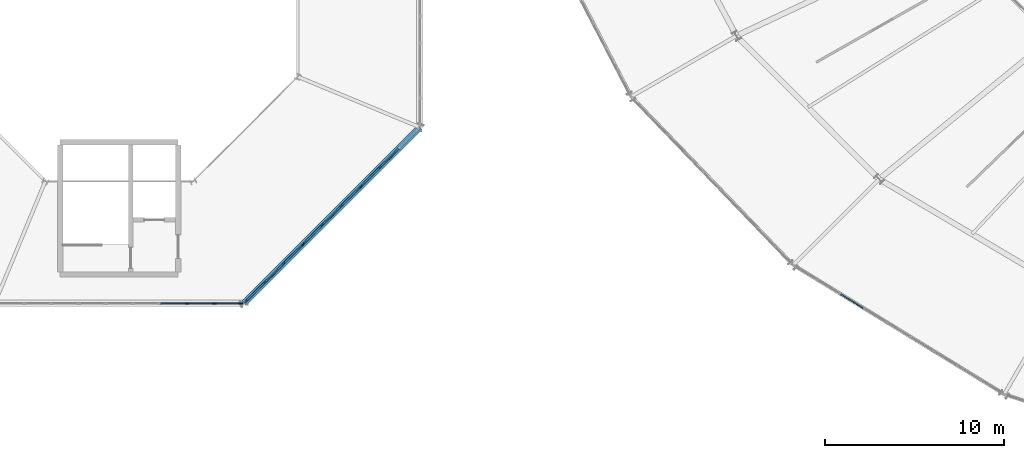
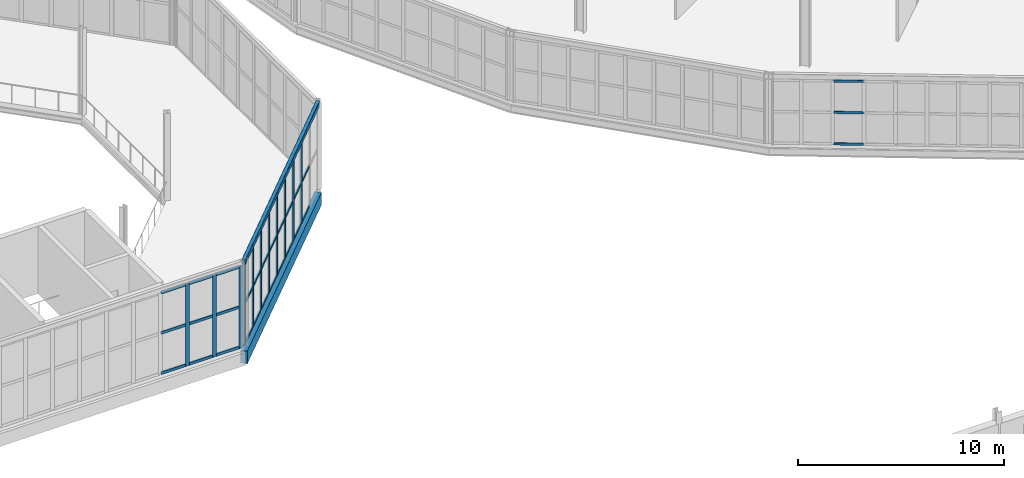
# One storey, part 38 of 161: 47 members, 2 beams, 3 elements without a shape of their own.
"""IFC4 building model written with IfcOpenShell, lengths in metres."""

import ifcopenshell
import ifcopenshell.guid

model = None  # the IFC model being written
_history = None  # IfcOwnerHistory: only IFC2X3 demands one
_inside = {}  # id of a spatial element -> (the spatial element, [elements in it])
_under = {}  # id of a project, library or spatial element -> (it, [spatial elements below it])
_declared = {}  # id of a project -> (the project, [libraries it declares])
_typed = {}  # id of a type object -> (the type object, [elements of that type])
_made_of = {}  # id of a material, layer set ... -> (it, [elements and type objects made of it])


def new_model(schema):
    """Start an empty IFC model of exactly this schema.

    Asked for "IFC4X3", IfcOpenShell would pick the latest addendum, in which some entities
    have other attributes; the version numbers below select the first issue.
    IFC2X3 requires an IfcOwnerHistory on every rooted entity: one is made here for all.
    """
    global model, _history
    if schema == "IFC4X3":
        model = ifcopenshell.file(schema_version=(4, 3, 0, 0))
    else:
        model = ifcopenshell.file(schema=schema)
    _inside.clear()
    _under.clear()
    _declared.clear()
    _typed.clear()
    _made_of.clear()
    _history = None
    if model.schema == "IFC2X3":
        org = make("IfcOrganization", Name="unknown")
        user = make(
            "IfcPersonAndOrganization",
            ThePerson=make("IfcPerson", FamilyName="unknown"),
            TheOrganization=org,
        )
        app = make(
            "IfcApplication",
            ApplicationDeveloper=org,
            Version="unknown",
            ApplicationFullName="unknown",
            ApplicationIdentifier="unknown",
        )
        _history = make(
            "IfcOwnerHistory",
            OwningUser=user,
            OwningApplication=app,
            ChangeAction="ADDED",
            CreationDate=0,
        )
    return model


def make(cls, **values):
    """One entity of the class cls with the attributes given. An attribute that is None is left unset."""
    return model.create_entity(
        cls, **{name: value for name, value in values.items() if value is not None}
    )


def rooted(cls, **values):
    """An entity with a GlobalId (a new one), such as an element, a storey or a relation."""
    return make(cls, GlobalId=ifcopenshell.guid.new(), OwnerHistory=_history, **values)


def si_unit(unit_type, name, prefix=None):
    """IfcSIUnit, for example si_unit("LENGTHUNIT", "METRE", prefix="MILLI")."""
    return make("IfcSIUnit", UnitType=unit_type, Prefix=prefix, Name=name)


def assignment(units):
    """IfcUnitAssignment: the units of a project."""
    return None if units is None else make("IfcUnitAssignment", Units=units)


def point(xyz):
    """IfcCartesianPoint."""
    return None if xyz is None else make("IfcCartesianPoint", Coordinates=xyz)


def direction(xyz):
    """IfcDirection."""
    return None if xyz is None else make("IfcDirection", DirectionRatios=xyz)


def frame(location, z_axis=None, x_axis=None):
    """IfcAxis2Placement3D, a coordinate frame: its origin and axes. An axis left out is left unset."""
    return make(
        "IfcAxis2Placement3D",
        Location=point(location),
        Axis=direction(z_axis),
        RefDirection=direction(x_axis),
    )


def frame_2d(location, x_axis=None):
    """IfcAxis2Placement2D, a coordinate frame in the plane: its origin and x axis."""
    return make(
        "IfcAxis2Placement2D", Location=point(location), RefDirection=direction(x_axis)
    )


def origin():
    """The frame at (0, 0, 0) with its axes left unset."""
    return frame((0.0, 0.0, 0.0))


def origin_2d():
    """The frame at (0, 0) in the plane with its x axis left unset."""
    return frame_2d((0.0, 0.0))


def place(relative_to, where):
    """IfcLocalPlacement: puts the frame where relative to a parent placement (None: the world)."""
    return make(
        "IfcLocalPlacement", PlacementRelTo=relative_to, RelativePlacement=where
    )


def context(
    kind, dimensions, precision=None, world=None, true_north=None, identifier=None
):
    """IfcGeometricRepresentationContext, for example the 3D "Model" context."""
    return make(
        "IfcGeometricRepresentationContext",
        ContextIdentifier=identifier,
        ContextType=kind,
        CoordinateSpaceDimension=dimensions,
        Precision=precision,
        WorldCoordinateSystem=world,
        TrueNorth=true_north,
    )


def subcontext(parent, identifier, kind, view, scale=None):
    """IfcGeometricRepresentationSubContext, for example "Body" below "Model"."""
    return make(
        "IfcGeometricRepresentationSubContext",
        ContextIdentifier=identifier,
        ContextType=kind,
        ParentContext=parent,
        TargetScale=scale,
        TargetView=view,
    )


def project(units=None, contexts=None):
    """IfcProject with its units and contexts."""
    return rooted(
        "IfcProject",
        Name="project",
        RepresentationContexts=contexts,
        UnitsInContext=assignment(units),
    )


def spatial(cls, under=None, at=None, **own):
    """A site, building, storey or space (cls), placed at a placement, below another one or the project."""
    s = rooted(cls, ObjectPlacement=at, **own)
    if under is not None:
        _under.setdefault(under.id(), (under, []))[1].append(s)
    return s


def profile(cls, at=None, kind="AREA", **sizes):
    """A parametric profile (cls). Its sizes go by their IFC names, for example OverallWidth=200.0."""
    return make(cls, ProfileType=kind, Position=at, **sizes)


def rectangle(**sizes):
    """IfcRectangleProfileDef."""
    return profile("IfcRectangleProfileDef", **sizes)


def hollow_rectangle(**sizes):
    """IfcRectangleHollowProfileDef."""
    return profile("IfcRectangleHollowProfileDef", **sizes)


def extrude(swept, where, along, depth):
    """IfcExtrudedAreaSolid: the profile swept, set in the frame where, extruded along a direction by depth."""
    return make(
        "IfcExtrudedAreaSolid",
        SweptArea=swept,
        Position=where,
        ExtrudedDirection=direction(along),
        Depth=depth,
    )


def shape(context_of_items, identifier, shape_type, items):
    """IfcShapeRepresentation: the items that make up one representation, for example the "Body"."""
    return make(
        "IfcShapeRepresentation",
        ContextOfItems=context_of_items,
        RepresentationIdentifier=identifier,
        RepresentationType=shape_type,
        Items=items,
    )


def material(Name=None, Category=None):
    """IfcMaterial."""
    return make("IfcMaterial", Name=Name, Category=Category)


def material_profile(
    of_material, cross_section, Name=None, Category=None, Priority=None
):
    """IfcMaterialProfile: a cross section and its material."""
    return make(
        "IfcMaterialProfile",
        Name=Name,
        Material=of_material,
        Profile=cross_section,
        Priority=Priority,
        Category=Category,
    )


def profile_set(profiles, Name=None, composite=None):
    """IfcMaterialProfileSet."""
    return make(
        "IfcMaterialProfileSet",
        Name=Name,
        MaterialProfiles=profiles,
        CompositeProfile=composite,
    )


def made_of(thing, what):
    """Note that an element or type object is made of a material, layer set ...; save() writes the relation."""
    if what is not None:
        _made_of.setdefault(what.id(), (what, []))[1].append(thing)
    return thing


def type_object(cls, material=None, **own):
    """A type object (cls), such as IfcWallType, which elements share."""
    return made_of(rooted(cls, **own), material)


def element(
    cls,
    number,
    at=None,
    inside=None,
    cuts=None,
    type_object=None,
    material=None,
    context=None,
    identifier="Body",
    shape_type=None,
    held_by="IfcProductDefinitionShape",
    body=None,
    shapes=None,
    **own,
):
    """One element of the class cls, such as IfcWall. Its Tag is "e" and its number.

    at: its placement. inside: the storey or other place that contains it. cuts: it is an
    opening in that element (IfcRelVoidsElement). A single representation is given by context,
    identifier, shape_type and body (its items); several are given by shapes. held_by: the class
    of the entity that holds the representations. save() writes the other relations.
    """
    e = rooted(cls, Tag="e%d" % number, ObjectPlacement=at, **own)
    if body is not None:
        shapes = [shape(context, identifier, shape_type, body)]
    if shapes is not None:
        e.Representation = make(held_by, Representations=shapes)
    if inside is not None:
        _inside.setdefault(inside.id(), (inside, []))[1].append(e)
    if cuts is not None:
        rooted(
            "IfcRelVoidsElement", RelatingBuildingElement=cuts, RelatedOpeningElement=e
        )
    if type_object is not None:
        _typed.setdefault(type_object.id(), (type_object, []))[1].append(e)
    return made_of(e, material)


def aggregate(whole, parts):
    """IfcRelAggregates: a whole, such as a stair, and the parts it consists of."""
    return rooted("IfcRelAggregates", RelatingObject=whole, RelatedObjects=parts)


def save(model, path):
    """Write the relations noted so far, then the file.

    IfcRelAggregates (storeys below a building ...), IfcRelContainedInSpatialStructure (elements
    in a storey), IfcRelDefinesByType, IfcRelAssociatesMaterial and IfcRelDeclares: one each for
    every whole, place, type object, material and project.
    """
    for whole, parts in _under.values():
        aggregate(whole, parts)
    for where, things in _inside.values():
        rooted(
            "IfcRelContainedInSpatialStructure",
            RelatedElements=things,
            RelatingStructure=where,
        )
    for kind, things in _typed.values():
        rooted("IfcRelDefinesByType", RelatedObjects=things, RelatingType=kind)
    for what, things in _made_of.values():
        rooted("IfcRelAssociatesMaterial", RelatedObjects=things, RelatingMaterial=what)
    for by, libraries in _declared.values():
        rooted("IfcRelDeclares", RelatingContext=by, RelatedDefinitions=libraries)
    model.write(path)


model = new_model("IFC4")

# Units and contexts
model_context = context("Model", 3, precision=1e-05, world=origin(), true_north=direction((0.0, 1.0)))
body_context = subcontext(model_context, "Body", "Model", "MODEL_VIEW")
ifc_project = project(units=[si_unit("LENGTHUNIT", "METRE"), si_unit("AREAUNIT", "SQUARE_METRE"), si_unit("VOLUMEUNIT", "CUBIC_METRE"), si_unit("PLANEANGLEUNIT", "RADIAN"), si_unit("MASSUNIT", "GRAM", prefix="KILO")], contexts=[model_context])

# Site, building, storey
site_placement = place(None, origin())
site = spatial("IfcSite", under=ifc_project, at=site_placement, CompositionType="ELEMENT")
building_placement = place(site_placement, origin())
building = spatial("IfcBuilding", under=site, at=building_placement, Name="Kildeholm Park Wholesale Market", CompositionType="ELEMENT")
storey_placement = place(building_placement, frame((0.0, 0.0, 5.39990234375)))
storey = spatial("IfcBuildingStorey", under=building, at=storey_placement, Name="L01", CompositionType="ELEMENT", Elevation=5.39990234375)

# Beams
ifc_material_1 = material(Name="Steel S355", Category="steel")
ifc_material_profile_1 = material_profile(ifc_material_1, hollow_rectangle(XDim=0.199951171875, YDim=0.300048828125, WallThickness=0.012451171875, InnerFilletRadius=0.012451171875, OuterFilletRadius=0.02490234375, at=origin_2d()), Name="RHS 300x200x12.5")
ifc_profile_set_1 = profile_set([ifc_material_profile_1], Name="Steel S355")
beam_type_1 = type_object("IfcBeamType", Name="Beam SP-01 RHS 300x200x12.5", PredefinedType="SPANDREL", material=ifc_profile_set_1)
beam_1_placement = place(storey_placement, frame((27.965087890625, 55.18505859375, 5.00927734375), z_axis=(0.707106781187, 0.707106781187, 0.0), x_axis=(-0.707106781187, 0.707106781187, 0.0)))
element("IfcBeam", 1, at=beam_1_placement, inside=storey, type_object=beam_type_1, Name="Beam BM-V3-EAV-06 BM-0511", PredefinedType="SPANDREL", context=body_context, shape_type="SweptSolid", body=[
    extrude(hollow_rectangle(XDim=0.199951171875, YDim=0.300048828125, WallThickness=0.012451171875, InnerFilletRadius=0.012451171875, OuterFilletRadius=0.02490234375, at=origin_2d()), origin(), (0.0, 0.0, 1.0), 13.9296875),
])
ifc_material_2 = material(Name="Precast concrete C40/50", Category="concrete")
ifc_material_profile_2 = material_profile(ifc_material_2, rectangle(XDim=0.35009765625, YDim=0.75, at=origin_2d()), Name="PC-SP 350x750")
ifc_profile_set_2 = profile_set([ifc_material_profile_2], Name="Precast concrete C40/50")
beam_type_2 = type_object("IfcBeamType", Name="Beam SP-03 PC-SP 350x750", PredefinedType="SPANDREL", material=ifc_profile_set_2)
beam_2_placement = place(storey_placement, frame((27.965087890625, 55.18505859375, -0.64501953125), z_axis=(0.707106781187, 0.707106781187, 0.0), x_axis=(-0.707106781187, 0.707106781187, 0.0)))
element("IfcBeam", 2, at=beam_2_placement, inside=storey, type_object=beam_type_2, Name="Beam BM-V3-L01-CO-06 BM-0510", PredefinedType="SPANDREL", context=body_context, shape_type="SweptSolid", body=[
    extrude(rectangle(XDim=0.35009765625, YDim=0.75, at=origin_2d()), origin(), (0.0, 0.0, 1.0), 13.9296875),
])

# Curtain wall, members
ifc_material_3 = material(Name="Anodised aluminium and low-E double-glazed glass", Category="aluminium")
curtain_wall_type_1 = type_object("IfcCurtainWallType", Name="Clerestory daylight stick curtain wall CW-02", PredefinedType="NOTDEFINED", material=ifc_material_3)
curtain_wall_1_placement = place(storey_placement, origin())
curtain_wall_1 = element("IfcCurtainWall", 3, at=curtain_wall_1_placement, inside=storey, type_object=curtain_wall_type_1, Name="Curtain wall CW-V3-L01-05 CW-0140", PredefinedType="NOTDEFINED")
ifc_material_4 = material(Name="Anodised aluminium", Category="aluminium")
ifc_material_profile_3 = material_profile(ifc_material_4, rectangle(XDim=0.074951171875, YDim=0.219970703125, at=origin_2d()), Name="CWM 75x220")
ifc_profile_set_3 = profile_set([ifc_material_profile_3], Name="Anodised aluminium")
member_type_1 = type_object("IfcMemberType", Name="Curtain-wall mullion CWM-2 CWM 75x220", PredefinedType="MULLION", material=ifc_profile_set_3)
member_1_placement = place(storey_placement, frame((24.791748046875, 55.18505859375, 0.0), z_axis=(0.0, 0.0, 1.0), x_axis=(0.0, 1.0, 0.0)))
member_1 = element("IfcMember", 4, at=member_1_placement, type_object=member_type_1, Name="CW-02 mullion 8 MEM-4336", PredefinedType="MULLION", context=body_context, shape_type="SweptSolid", body=[
    extrude(rectangle(XDim=0.074951171875, YDim=0.219970703125, at=origin_2d()), origin(), (0.0, 0.0, 1.0), 4.85009765625),
])
member_2_placement = place(storey_placement, frame((26.308349609375, 55.18505859375, 0.0), z_axis=(0.0, 0.0, 1.0), x_axis=(0.0, 1.0, 0.0)))
member_2 = element("IfcMember", 5, at=member_2_placement, type_object=member_type_1, Name="CW-02 mullion 9 MEM-4337", PredefinedType="MULLION", context=body_context, shape_type="SweptSolid", body=[
    extrude(rectangle(XDim=0.074951171875, YDim=0.219970703125, at=origin_2d()), origin(), (0.0, 0.0, 1.0), 4.85009765625),
])
member_3_placement = place(storey_placement, frame((27.78759765625, 55.18505859375, 0.0), z_axis=(0.0, 0.0, 1.0), x_axis=(0.0, 1.0, 0.0)))
member_3 = element("IfcMember", 6, at=member_3_placement, type_object=member_type_1, Name="CW-02 mullion 10 MEM-4338", PredefinedType="MULLION", context=body_context, shape_type="SweptSolid", body=[
    extrude(rectangle(XDim=0.074951171875, YDim=0.219970703125, at=origin_2d()), origin(), (0.0, 0.0, 1.0), 4.85009765625),
])

curtain_wall_2_placement = place(storey_placement, origin())
curtain_wall_2 = element("IfcCurtainWall", 7, at=curtain_wall_2_placement, inside=storey, type_object=curtain_wall_type_1, Name="Curtain wall CW-V3-L01-06 CW-0141", PredefinedType="NOTDEFINED")
member_4_placement = place(storey_placement, frame((28.090576171875, 55.310546875, 0.0), z_axis=(0.0, 0.0, 1.0), x_axis=(-0.707106781187, 0.707106781187, 0.0)))
member_4 = element("IfcMember", 8, at=member_4_placement, type_object=member_type_1, Name="CW-02 mullion 1 MEM-4366", PredefinedType="MULLION", context=body_context, shape_type="SweptSolid", body=[
    extrude(rectangle(XDim=0.074951171875, YDim=0.219970703125, at=origin_2d()), origin(), (0.0, 0.0, 1.0), 4.85009765625),
])
member_5_placement = place(storey_placement, frame((29.136474609375, 56.3564453125, 0.0), z_axis=(0.0, 0.0, 1.0), x_axis=(-0.707106781187, 0.707106781187, 0.0)))
member_5 = element("IfcMember", 9, at=member_5_placement, type_object=member_type_1, Name="CW-02 mullion 2 MEM-4367", PredefinedType="MULLION", context=body_context, shape_type="SweptSolid", body=[
    extrude(rectangle(XDim=0.074951171875, YDim=0.219970703125, at=origin_2d()), origin(), (0.0, 0.0, 1.0), 4.85009765625),
])
member_6_placement = place(storey_placement, frame((30.208984375, 57.428955078125, 0.0), z_axis=(0.0, 0.0, 1.0), x_axis=(-0.707106781187, 0.707106781187, 0.0)))
member_6 = element("IfcMember", 10, at=member_6_placement, type_object=member_type_1, Name="CW-02 mullion 3 MEM-4368", PredefinedType="MULLION", context=body_context, shape_type="SweptSolid", body=[
    extrude(rectangle(XDim=0.074951171875, YDim=0.219970703125, at=origin_2d()), origin(), (0.0, 0.0, 1.0), 4.85009765625),
])
member_7_placement = place(storey_placement, frame((31.28125, 58.501220703125, 0.0), z_axis=(0.0, 0.0, 1.0), x_axis=(-0.707106781187, 0.707106781187, 0.0)))
member_7 = element("IfcMember", 11, at=member_7_placement, type_object=member_type_1, Name="CW-02 mullion 4 MEM-4369", PredefinedType="MULLION", context=body_context, shape_type="SweptSolid", body=[
    extrude(rectangle(XDim=0.074951171875, YDim=0.219970703125, at=origin_2d()), origin(), (0.0, 0.0, 1.0), 4.85009765625),
])
member_8_placement = place(storey_placement, frame((32.353759765625, 59.57373046875, 0.0), z_axis=(0.0, 0.0, 1.0), x_axis=(-0.707106781187, 0.707106781187, 0.0)))
member_8 = element("IfcMember", 12, at=member_8_placement, type_object=member_type_1, Name="CW-02 mullion 5 MEM-4370", PredefinedType="MULLION", context=body_context, shape_type="SweptSolid", body=[
    extrude(rectangle(XDim=0.074951171875, YDim=0.219970703125, at=origin_2d()), origin(), (0.0, 0.0, 1.0), 4.85009765625),
])
member_9_placement = place(storey_placement, frame((33.42626953125, 60.646240234375, 0.0), z_axis=(0.0, 0.0, 1.0), x_axis=(-0.707106781187, 0.707106781187, 0.0)))
member_9 = element("IfcMember", 13, at=member_9_placement, type_object=member_type_1, Name="CW-02 mullion 6 MEM-4371", PredefinedType="MULLION", context=body_context, shape_type="SweptSolid", body=[
    extrude(rectangle(XDim=0.074951171875, YDim=0.219970703125, at=origin_2d()), origin(), (0.0, 0.0, 1.0), 4.85009765625),
])
member_10_placement = place(storey_placement, frame((34.498779296875, 61.71875, 0.0), z_axis=(0.0, 0.0, 1.0), x_axis=(-0.707106781187, 0.707106781187, 0.0)))
member_10 = element("IfcMember", 14, at=member_10_placement, type_object=member_type_1, Name="CW-02 mullion 7 MEM-4372", PredefinedType="MULLION", context=body_context, shape_type="SweptSolid", body=[
    extrude(rectangle(XDim=0.074951171875, YDim=0.219970703125, at=origin_2d()), origin(), (0.0, 0.0, 1.0), 4.85009765625),
])
member_11_placement = place(storey_placement, frame((35.571044921875, 62.791015625, 0.0), z_axis=(0.0, 0.0, 1.0), x_axis=(-0.707106781187, 0.707106781187, 0.0)))
member_11 = element("IfcMember", 15, at=member_11_placement, type_object=member_type_1, Name="CW-02 mullion 8 MEM-4373", PredefinedType="MULLION", context=body_context, shape_type="SweptSolid", body=[
    extrude(rectangle(XDim=0.074951171875, YDim=0.219970703125, at=origin_2d()), origin(), (0.0, 0.0, 1.0), 4.85009765625),
])

curtain_wall_type_2 = type_object("IfcCurtainWallType", Name="Market hall glazed arcade stick curtain wall CW-01", PredefinedType="NOTDEFINED", material=ifc_material_3)
curtain_wall_3_placement = place(storey_placement, origin())
curtain_wall_3 = element("IfcCurtainWall", 16, at=curtain_wall_3_placement, inside=storey, type_object=curtain_wall_type_2, Name="Curtain wall CW-V1-OT-15-1 CW-0074", PredefinedType="NOTDEFINED")
ifc_material_profile_4 = material_profile(ifc_material_4, rectangle(XDim=0.06494140625, YDim=0.139892578125, at=origin_2d()), Name="CWT 65x140")
ifc_profile_set_4 = profile_set([ifc_material_profile_4], Name="Anodised aluminium")
member_type_2 = type_object("IfcMemberType", Name="Curtain-wall transom CWT-1 CWT 65x140", PredefinedType="USERDEFINED", material=ifc_profile_set_4)
member_12_placement = place(storey_placement, frame((61.361083984375, 55.6875, 0.03271484375), z_axis=(0.852749773826, -0.522319656187, 0.0), x_axis=(0.522319656187, 0.852749773826, 0.0)))
member_12 = element("IfcMember", 17, at=member_12_placement, type_object=member_type_2, Name="CW-01 transom 3.1 MEM-2391", ObjectType="TRANSOM", PredefinedType="USERDEFINED", context=body_context, shape_type="SweptSolid", body=[
    extrude(rectangle(XDim=0.06494140625, YDim=0.139892578125, at=origin_2d()), origin(), (0.0, 0.0, 1.0), 1.46435546875),
])
member_13_placement = place(storey_placement, frame((61.361083984375, 55.6875, 1.900146484375), z_axis=(0.852749773826, -0.522319656187, 0.0), x_axis=(0.522319656187, 0.852749773826, 0.0)))
member_13 = element("IfcMember", 18, at=member_13_placement, type_object=member_type_2, Name="CW-01 transom 3.2 MEM-2392", ObjectType="TRANSOM", PredefinedType="USERDEFINED", context=body_context, shape_type="SweptSolid", body=[
    extrude(rectangle(XDim=0.06494140625, YDim=0.139892578125, at=origin_2d()), origin(), (0.0, 0.0, 1.0), 1.46435546875),
])
member_14_placement = place(storey_placement, frame((61.361083984375, 55.6875, 3.767578125), z_axis=(0.852749773826, -0.522319656187, 0.0), x_axis=(0.522319656187, 0.852749773826, 0.0)))
member_14 = element("IfcMember", 19, at=member_14_placement, type_object=member_type_2, Name="CW-01 transom 3.3 MEM-2393", ObjectType="TRANSOM", PredefinedType="USERDEFINED", context=body_context, shape_type="SweptSolid", body=[
    extrude(rectangle(XDim=0.06494140625, YDim=0.139892578125, at=origin_2d()), origin(), (0.0, 0.0, 1.0), 1.46435546875),
])
aggregate(curtain_wall_3, [member_12, member_13, member_14])

# Member
ifc_material_profile_5 = material_profile(ifc_material_4, rectangle(XDim=0.074951171875, YDim=0.159912109375, at=origin_2d()), Name="CWT 75x160")
ifc_profile_set_5 = profile_set([ifc_material_profile_5], Name="Anodised aluminium")
member_type_3 = type_object("IfcMemberType", Name="Curtain-wall transom CWT-2 CWT 75x160", PredefinedType="USERDEFINED", material=ifc_profile_set_5)
member_15_placement = place(storey_placement, frame((23.3125, 55.18505859375, 0.03759765625), z_axis=(1.0, 0.0, 0.0), x_axis=(0.0, 1.0, 0.0)))
member_15 = element("IfcMember", 20, at=member_15_placement, type_object=member_type_3, Name="CW-02 transom 7.1 MEM-4357", ObjectType="TRANSOM", PredefinedType="USERDEFINED", context=body_context, shape_type="SweptSolid", body=[
    extrude(rectangle(XDim=0.074951171875, YDim=0.159912109375, at=origin_2d()), origin(), (0.0, 0.0, 1.0), 1.441650390625),
])

member_16_placement = place(storey_placement, frame((23.3125, 55.18505859375, 2.425048828125), z_axis=(1.0, 0.0, 0.0), x_axis=(0.0, 1.0, 0.0)))
member_16 = element("IfcMember", 21, at=member_16_placement, type_object=member_type_3, Name="CW-02 transom 7.2 MEM-4358", ObjectType="TRANSOM", PredefinedType="USERDEFINED", context=body_context, shape_type="SweptSolid", body=[
    extrude(rectangle(XDim=0.074951171875, YDim=0.159912109375, at=origin_2d()), origin(), (0.0, 0.0, 1.0), 1.441650390625),
])

member_17_placement = place(storey_placement, frame((23.3125, 55.18505859375, 4.8125), z_axis=(1.0, 0.0, 0.0), x_axis=(0.0, 1.0, 0.0)))
member_17 = element("IfcMember", 22, at=member_17_placement, type_object=member_type_3, Name="CW-02 transom 7.3 MEM-4359", ObjectType="TRANSOM", PredefinedType="USERDEFINED", context=body_context, shape_type="SweptSolid", body=[
    extrude(rectangle(XDim=0.074951171875, YDim=0.159912109375, at=origin_2d()), origin(), (0.0, 0.0, 1.0), 1.441650390625),
])

member_18_placement = place(storey_placement, frame((24.8291015625, 55.18505859375, 0.03759765625), z_axis=(1.0, 0.0, 0.0), x_axis=(0.0, 1.0, 0.0)))
member_18 = element("IfcMember", 23, at=member_18_placement, type_object=member_type_3, Name="CW-02 transom 8.1 MEM-4360", ObjectType="TRANSOM", PredefinedType="USERDEFINED", context=body_context, shape_type="SweptSolid", body=[
    extrude(rectangle(XDim=0.074951171875, YDim=0.159912109375, at=origin_2d()), origin(), (0.0, 0.0, 1.0), 1.441650390625),
])

member_19_placement = place(storey_placement, frame((24.8291015625, 55.18505859375, 2.425048828125), z_axis=(1.0, 0.0, 0.0), x_axis=(0.0, 1.0, 0.0)))
member_19 = element("IfcMember", 24, at=member_19_placement, type_object=member_type_3, Name="CW-02 transom 8.2 MEM-4361", ObjectType="TRANSOM", PredefinedType="USERDEFINED", context=body_context, shape_type="SweptSolid", body=[
    extrude(rectangle(XDim=0.074951171875, YDim=0.159912109375, at=origin_2d()), origin(), (0.0, 0.0, 1.0), 1.441650390625),
])

member_20_placement = place(storey_placement, frame((24.8291015625, 55.18505859375, 4.8125), z_axis=(1.0, 0.0, 0.0), x_axis=(0.0, 1.0, 0.0)))
member_20 = element("IfcMember", 25, at=member_20_placement, type_object=member_type_3, Name="CW-02 transom 8.3 MEM-4362", ObjectType="TRANSOM", PredefinedType="USERDEFINED", context=body_context, shape_type="SweptSolid", body=[
    extrude(rectangle(XDim=0.074951171875, YDim=0.159912109375, at=origin_2d()), origin(), (0.0, 0.0, 1.0), 1.441650390625),
])

member_21_placement = place(storey_placement, frame((26.345947265625, 55.18505859375, 0.03759765625), z_axis=(1.0, 0.0, 0.0), x_axis=(0.0, 1.0, 0.0)))
member_21 = element("IfcMember", 26, at=member_21_placement, type_object=member_type_3, Name="CW-02 transom 9.1 MEM-4363", ObjectType="TRANSOM", PredefinedType="USERDEFINED", context=body_context, shape_type="SweptSolid", body=[
    extrude(rectangle(XDim=0.074951171875, YDim=0.159912109375, at=origin_2d()), origin(), (0.0, 0.0, 1.0), 1.404052734375),
])

member_22_placement = place(storey_placement, frame((26.345947265625, 55.18505859375, 2.425048828125), z_axis=(1.0, 0.0, 0.0), x_axis=(0.0, 1.0, 0.0)))
member_22 = element("IfcMember", 27, at=member_22_placement, type_object=member_type_3, Name="CW-02 transom 9.2 MEM-4364", ObjectType="TRANSOM", PredefinedType="USERDEFINED", context=body_context, shape_type="SweptSolid", body=[
    extrude(rectangle(XDim=0.074951171875, YDim=0.159912109375, at=origin_2d()), origin(), (0.0, 0.0, 1.0), 1.404052734375),
])

member_23_placement = place(storey_placement, frame((26.345947265625, 55.18505859375, 4.8125), z_axis=(1.0, 0.0, 0.0), x_axis=(0.0, 1.0, 0.0)))
member_23 = element("IfcMember", 28, at=member_23_placement, type_object=member_type_3, Name="CW-02 transom 9.3 MEM-4365", ObjectType="TRANSOM", PredefinedType="USERDEFINED", context=body_context, shape_type="SweptSolid", body=[
    extrude(rectangle(XDim=0.074951171875, YDim=0.159912109375, at=origin_2d()), origin(), (0.0, 0.0, 1.0), 1.404052734375),
])

aggregate(curtain_wall_1, [member_1, member_2, member_3, member_15, member_16, member_17, member_18, member_19, member_20, member_21, member_22, member_23])

member_24_placement = place(storey_placement, frame((28.116943359375, 55.3369140625, 0.03759765625), z_axis=(0.707106781187, 0.707106781187, 0.0), x_axis=(-0.707106781187, 0.707106781187, 0.0)))
member_24 = element("IfcMember", 29, at=member_24_placement, type_object=member_type_3, Name="CW-02 transom 1.1 MEM-4376", ObjectType="TRANSOM", PredefinedType="USERDEFINED", context=body_context, shape_type="SweptSolid", body=[
    extrude(rectangle(XDim=0.074951171875, YDim=0.159912109375, at=origin_2d()), origin(), (0.0, 0.0, 1.0), 1.404296875),
])

member_25_placement = place(storey_placement, frame((28.116943359375, 55.3369140625, 2.425048828125), z_axis=(0.707106781187, 0.707106781187, 0.0), x_axis=(-0.707106781187, 0.707106781187, 0.0)))
member_25 = element("IfcMember", 30, at=member_25_placement, type_object=member_type_3, Name="CW-02 transom 1.2 MEM-4377", ObjectType="TRANSOM", PredefinedType="USERDEFINED", context=body_context, shape_type="SweptSolid", body=[
    extrude(rectangle(XDim=0.074951171875, YDim=0.159912109375, at=origin_2d()), origin(), (0.0, 0.0, 1.0), 1.404296875),
])

member_26_placement = place(storey_placement, frame((28.116943359375, 55.3369140625, 4.8125), z_axis=(0.707106781187, 0.707106781187, 0.0), x_axis=(-0.707106781187, 0.707106781187, 0.0)))
member_26 = element("IfcMember", 31, at=member_26_placement, type_object=member_type_3, Name="CW-02 transom 1.3 MEM-4378", ObjectType="TRANSOM", PredefinedType="USERDEFINED", context=body_context, shape_type="SweptSolid", body=[
    extrude(rectangle(XDim=0.074951171875, YDim=0.159912109375, at=origin_2d()), origin(), (0.0, 0.0, 1.0), 1.404296875),
])

member_27_placement = place(storey_placement, frame((29.162841796875, 56.383056640625, 0.03759765625), z_axis=(0.707191449423, 0.707022102811, 0.0), x_axis=(-0.707022102811, 0.707191449423, 0.0)))
member_27 = element("IfcMember", 32, at=member_27_placement, type_object=member_type_3, Name="CW-02 transom 2.1 MEM-4379", ObjectType="TRANSOM", PredefinedType="USERDEFINED", context=body_context, shape_type="SweptSolid", body=[
    extrude(rectangle(XDim=0.074951171875, YDim=0.159912109375, at=origin_2d()), origin(), (0.0, 0.0, 1.0), 1.441650390625),
])

member_28_placement = place(storey_placement, frame((29.162841796875, 56.383056640625, 2.425048828125), z_axis=(0.707191449423, 0.707022102811, 0.0), x_axis=(-0.707022102811, 0.707191449423, 0.0)))
member_28 = element("IfcMember", 33, at=member_28_placement, type_object=member_type_3, Name="CW-02 transom 2.2 MEM-4380", ObjectType="TRANSOM", PredefinedType="USERDEFINED", context=body_context, shape_type="SweptSolid", body=[
    extrude(rectangle(XDim=0.074951171875, YDim=0.159912109375, at=origin_2d()), origin(), (0.0, 0.0, 1.0), 1.441650390625),
])

member_29_placement = place(storey_placement, frame((29.162841796875, 56.383056640625, 4.8125), z_axis=(0.707191449423, 0.707022102811, 0.0), x_axis=(-0.707022102811, 0.707191449423, 0.0)))
member_29 = element("IfcMember", 34, at=member_29_placement, type_object=member_type_3, Name="CW-02 transom 2.3 MEM-4381", ObjectType="TRANSOM", PredefinedType="USERDEFINED", context=body_context, shape_type="SweptSolid", body=[
    extrude(rectangle(XDim=0.074951171875, YDim=0.159912109375, at=origin_2d()), origin(), (0.0, 0.0, 1.0), 1.441650390625),
])

member_30_placement = place(storey_placement, frame((30.2353515625, 57.455322265625, 0.03759765625), z_axis=(0.707106781187, 0.707106781187, 0.0), x_axis=(-0.707106781187, 0.707106781187, 0.0)))
member_30 = element("IfcMember", 35, at=member_30_placement, type_object=member_type_3, Name="CW-02 transom 3.1 MEM-4382", ObjectType="TRANSOM", PredefinedType="USERDEFINED", context=body_context, shape_type="SweptSolid", body=[
    extrude(rectangle(XDim=0.074951171875, YDim=0.159912109375, at=origin_2d()), origin(), (0.0, 0.0, 1.0), 1.44189453125),
])

member_31_placement = place(storey_placement, frame((30.2353515625, 57.455322265625, 2.425048828125), z_axis=(0.707106781187, 0.707106781187, 0.0), x_axis=(-0.707106781187, 0.707106781187, 0.0)))
member_31 = element("IfcMember", 36, at=member_31_placement, type_object=member_type_3, Name="CW-02 transom 3.2 MEM-4383", ObjectType="TRANSOM", PredefinedType="USERDEFINED", context=body_context, shape_type="SweptSolid", body=[
    extrude(rectangle(XDim=0.074951171875, YDim=0.159912109375, at=origin_2d()), origin(), (0.0, 0.0, 1.0), 1.44189453125),
])

member_32_placement = place(storey_placement, frame((30.2353515625, 57.455322265625, 4.8125), z_axis=(0.707106781187, 0.707106781187, 0.0), x_axis=(-0.707106781187, 0.707106781187, 0.0)))
member_32 = element("IfcMember", 37, at=member_32_placement, type_object=member_type_3, Name="CW-02 transom 3.3 MEM-4384", ObjectType="TRANSOM", PredefinedType="USERDEFINED", context=body_context, shape_type="SweptSolid", body=[
    extrude(rectangle(XDim=0.074951171875, YDim=0.159912109375, at=origin_2d()), origin(), (0.0, 0.0, 1.0), 1.44189453125),
])

member_33_placement = place(storey_placement, frame((31.307861328125, 58.52783203125, 0.03759765625), z_axis=(0.707022102811, 0.707191449423, 0.0), x_axis=(-0.707191449423, 0.707022102811, 0.0)))
member_33 = element("IfcMember", 38, at=member_33_placement, type_object=member_type_3, Name="CW-02 transom 4.1 MEM-4385", ObjectType="TRANSOM", PredefinedType="USERDEFINED", context=body_context, shape_type="SweptSolid", body=[
    extrude(rectangle(XDim=0.074951171875, YDim=0.159912109375, at=origin_2d()), origin(), (0.0, 0.0, 1.0), 1.441650390625),
])

member_34_placement = place(storey_placement, frame((31.307861328125, 58.52783203125, 2.425048828125), z_axis=(0.707022102811, 0.707191449423, 0.0), x_axis=(-0.707191449423, 0.707022102811, 0.0)))
member_34 = element("IfcMember", 39, at=member_34_placement, type_object=member_type_3, Name="CW-02 transom 4.2 MEM-4386", ObjectType="TRANSOM", PredefinedType="USERDEFINED", context=body_context, shape_type="SweptSolid", body=[
    extrude(rectangle(XDim=0.074951171875, YDim=0.159912109375, at=origin_2d()), origin(), (0.0, 0.0, 1.0), 1.441650390625),
])

member_35_placement = place(storey_placement, frame((31.307861328125, 58.52783203125, 4.8125), z_axis=(0.707022102811, 0.707191449423, 0.0), x_axis=(-0.707191449423, 0.707022102811, 0.0)))
member_35 = element("IfcMember", 40, at=member_35_placement, type_object=member_type_3, Name="CW-02 transom 4.3 MEM-4387", ObjectType="TRANSOM", PredefinedType="USERDEFINED", context=body_context, shape_type="SweptSolid", body=[
    extrude(rectangle(XDim=0.074951171875, YDim=0.159912109375, at=origin_2d()), origin(), (0.0, 0.0, 1.0), 1.441650390625),
])

member_36_placement = place(storey_placement, frame((32.38037109375, 59.600341796875, 0.03759765625), z_axis=(0.707106781187, 0.707106781187, 0.0), x_axis=(-0.707106781187, 0.707106781187, 0.0)))
member_36 = element("IfcMember", 41, at=member_36_placement, type_object=member_type_3, Name="CW-02 transom 5.1 MEM-4388", ObjectType="TRANSOM", PredefinedType="USERDEFINED", context=body_context, shape_type="SweptSolid", body=[
    extrude(rectangle(XDim=0.074951171875, YDim=0.159912109375, at=origin_2d()), origin(), (0.0, 0.0, 1.0), 1.44140625),
])

member_37_placement = place(storey_placement, frame((32.38037109375, 59.600341796875, 2.425048828125), z_axis=(0.707106781187, 0.707106781187, 0.0), x_axis=(-0.707106781187, 0.707106781187, 0.0)))
member_37 = element("IfcMember", 42, at=member_37_placement, type_object=member_type_3, Name="CW-02 transom 5.2 MEM-4389", ObjectType="TRANSOM", PredefinedType="USERDEFINED", context=body_context, shape_type="SweptSolid", body=[
    extrude(rectangle(XDim=0.074951171875, YDim=0.159912109375, at=origin_2d()), origin(), (0.0, 0.0, 1.0), 1.44140625),
])

member_38_placement = place(storey_placement, frame((32.38037109375, 59.600341796875, 4.8125), z_axis=(0.707106781187, 0.707106781187, 0.0), x_axis=(-0.707106781187, 0.707106781187, 0.0)))
member_38 = element("IfcMember", 43, at=member_38_placement, type_object=member_type_3, Name="CW-02 transom 5.3 MEM-4390", ObjectType="TRANSOM", PredefinedType="USERDEFINED", context=body_context, shape_type="SweptSolid", body=[
    extrude(rectangle(XDim=0.074951171875, YDim=0.159912109375, at=origin_2d()), origin(), (0.0, 0.0, 1.0), 1.44140625),
])

member_39_placement = place(storey_placement, frame((33.45263671875, 60.6728515625, 0.03759765625), z_axis=(0.707191449423, 0.707022102811, 0.0), x_axis=(-0.707022102811, 0.707191449423, 0.0)))
member_39 = element("IfcMember", 44, at=member_39_placement, type_object=member_type_3, Name="CW-02 transom 6.1 MEM-4391", ObjectType="TRANSOM", PredefinedType="USERDEFINED", context=body_context, shape_type="SweptSolid", body=[
    extrude(rectangle(XDim=0.074951171875, YDim=0.159912109375, at=origin_2d()), origin(), (0.0, 0.0, 1.0), 1.441650390625),
])

member_40_placement = place(storey_placement, frame((33.45263671875, 60.6728515625, 2.425048828125), z_axis=(0.707191449423, 0.707022102811, 0.0), x_axis=(-0.707022102811, 0.707191449423, 0.0)))
member_40 = element("IfcMember", 45, at=member_40_placement, type_object=member_type_3, Name="CW-02 transom 6.2 MEM-4392", ObjectType="TRANSOM", PredefinedType="USERDEFINED", context=body_context, shape_type="SweptSolid", body=[
    extrude(rectangle(XDim=0.074951171875, YDim=0.159912109375, at=origin_2d()), origin(), (0.0, 0.0, 1.0), 1.441650390625),
])

member_41_placement = place(storey_placement, frame((33.45263671875, 60.6728515625, 4.8125), z_axis=(0.707191449423, 0.707022102811, 0.0), x_axis=(-0.707022102811, 0.707191449423, 0.0)))
member_41 = element("IfcMember", 46, at=member_41_placement, type_object=member_type_3, Name="CW-02 transom 6.3 MEM-4393", ObjectType="TRANSOM", PredefinedType="USERDEFINED", context=body_context, shape_type="SweptSolid", body=[
    extrude(rectangle(XDim=0.074951171875, YDim=0.159912109375, at=origin_2d()), origin(), (0.0, 0.0, 1.0), 1.441650390625),
])

member_42_placement = place(storey_placement, frame((34.525146484375, 61.7451171875, 0.03759765625), z_axis=(0.707106781187, 0.707106781187, 0.0), x_axis=(-0.707106781187, 0.707106781187, 0.0)))
member_42 = element("IfcMember", 47, at=member_42_placement, type_object=member_type_3, Name="CW-02 transom 7.1 MEM-4394", ObjectType="TRANSOM", PredefinedType="USERDEFINED", context=body_context, shape_type="SweptSolid", body=[
    extrude(rectangle(XDim=0.074951171875, YDim=0.159912109375, at=origin_2d()), origin(), (0.0, 0.0, 1.0), 1.44189453125),
])

member_43_placement = place(storey_placement, frame((34.525146484375, 61.7451171875, 2.425048828125), z_axis=(0.707106781187, 0.707106781187, 0.0), x_axis=(-0.707106781187, 0.707106781187, 0.0)))
member_43 = element("IfcMember", 48, at=member_43_placement, type_object=member_type_3, Name="CW-02 transom 7.2 MEM-4395", ObjectType="TRANSOM", PredefinedType="USERDEFINED", context=body_context, shape_type="SweptSolid", body=[
    extrude(rectangle(XDim=0.074951171875, YDim=0.159912109375, at=origin_2d()), origin(), (0.0, 0.0, 1.0), 1.44189453125),
])

member_44_placement = place(storey_placement, frame((34.525146484375, 61.7451171875, 4.8125), z_axis=(0.707106781187, 0.707106781187, 0.0), x_axis=(-0.707106781187, 0.707106781187, 0.0)))
member_44 = element("IfcMember", 49, at=member_44_placement, type_object=member_type_3, Name="CW-02 transom 7.3 MEM-4396", ObjectType="TRANSOM", PredefinedType="USERDEFINED", context=body_context, shape_type="SweptSolid", body=[
    extrude(rectangle(XDim=0.074951171875, YDim=0.159912109375, at=origin_2d()), origin(), (0.0, 0.0, 1.0), 1.44189453125),
])

member_45_placement = place(storey_placement, frame((35.59765625, 62.817626953125, 0.03759765625), z_axis=(0.707022102811, 0.707191449423, 0.0), x_axis=(-0.707191449423, 0.707022102811, 0.0)))
member_45 = element("IfcMember", 50, at=member_45_placement, type_object=member_type_3, Name="CW-02 transom 8.1 MEM-4397", ObjectType="TRANSOM", PredefinedType="USERDEFINED", context=body_context, shape_type="SweptSolid", body=[
    extrude(rectangle(XDim=0.074951171875, YDim=0.159912109375, at=origin_2d()), origin(), (0.0, 0.0, 1.0), 1.441650390625),
])

member_46_placement = place(storey_placement, frame((35.59765625, 62.817626953125, 2.425048828125), z_axis=(0.707022102811, 0.707191449423, 0.0), x_axis=(-0.707191449423, 0.707022102811, 0.0)))
member_46 = element("IfcMember", 51, at=member_46_placement, type_object=member_type_3, Name="CW-02 transom 8.2 MEM-4398", ObjectType="TRANSOM", PredefinedType="USERDEFINED", context=body_context, shape_type="SweptSolid", body=[
    extrude(rectangle(XDim=0.074951171875, YDim=0.159912109375, at=origin_2d()), origin(), (0.0, 0.0, 1.0), 1.441650390625),
])

member_47_placement = place(storey_placement, frame((35.59765625, 62.817626953125, 4.8125), z_axis=(0.707022102811, 0.707191449423, 0.0), x_axis=(-0.707191449423, 0.707022102811, 0.0)))
member_47 = element("IfcMember", 52, at=member_47_placement, type_object=member_type_3, Name="CW-02 transom 8.3 MEM-4399", ObjectType="TRANSOM", PredefinedType="USERDEFINED", context=body_context, shape_type="SweptSolid", body=[
    extrude(rectangle(XDim=0.074951171875, YDim=0.159912109375, at=origin_2d()), origin(), (0.0, 0.0, 1.0), 1.441650390625),
])

aggregate(curtain_wall_2, [member_4, member_5, member_6, member_7, member_8, member_9, member_10, member_11, member_24, member_25, member_26, member_27, member_28, member_29, member_30, member_31, member_32, member_33, member_34, member_35, member_36, member_37, member_38, member_39, member_40, member_41, member_42, member_43, member_44, member_45, member_46, member_47])

save(model, "model.ifc")
